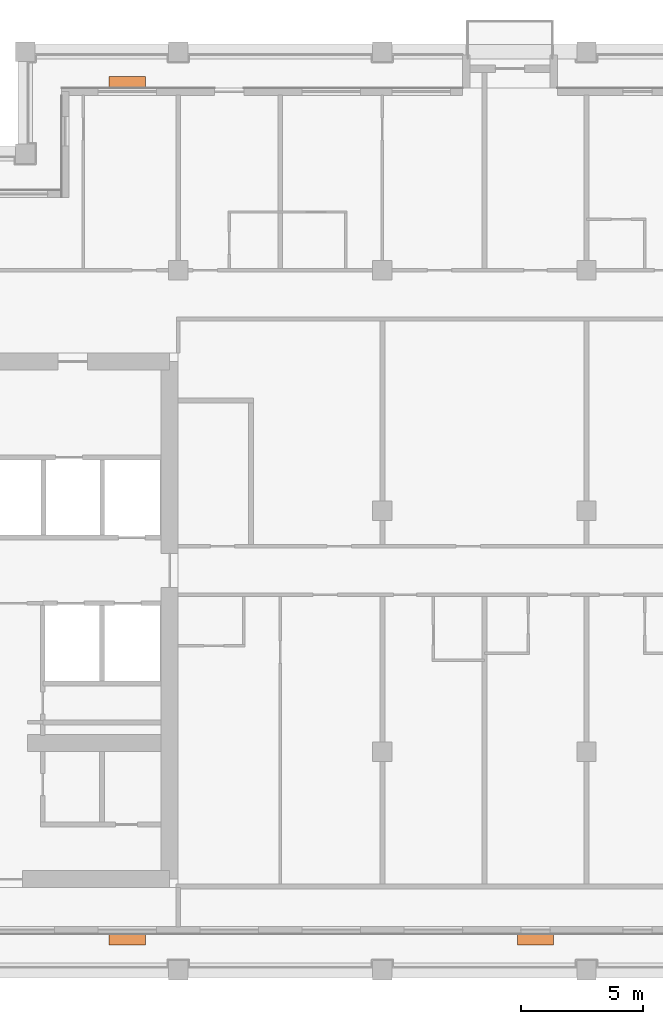
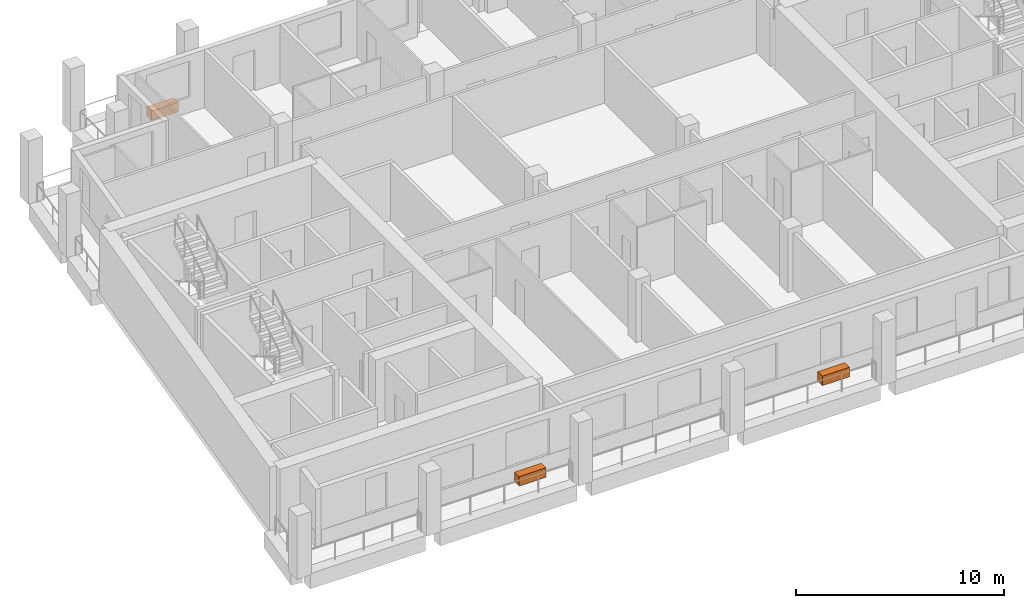
# One storey, part 13 of 13: 3 proxies.
"""IFC4 building model written with IfcOpenShell, lengths in metres."""

from ifc_helpers import new_model, si_unit, direction, frame, origin, origin_2d, place, context, subcontext, project, spatial, rectangle, extrude, element, save


model = new_model("IFC4")

# Units and contexts
model_context = context("Model", 3, precision=1e-05, world=origin(), true_north=direction((0.0, 1.0)))
body_context = subcontext(model_context, "Body", "Model", "MODEL_VIEW")
ifc_project = project(units=[si_unit("LENGTHUNIT", "METRE"), si_unit("AREAUNIT", "SQUARE_METRE"), si_unit("VOLUMEUNIT", "CUBIC_METRE"), si_unit("PLANEANGLEUNIT", "RADIAN"), si_unit("MASSUNIT", "GRAM", prefix="KILO")], contexts=[model_context])

# Site, building, storey
site_placement = place(None, origin())
site = spatial("IfcSite", under=ifc_project, at=site_placement, CompositionType="ELEMENT")
building_placement = place(site_placement, origin())
building = spatial("IfcBuilding", under=site, at=building_placement, Name="Candeia Pilgrim Tower and Theatre", CompositionType="ELEMENT")
storey_placement = place(building_placement, frame((0.0, 0.0, 270.10009765625)))
storey = spatial("IfcBuildingStorey", under=building, at=storey_placement, Name="L65", CompositionType="ELEMENT", Elevation=270.10009765625)

# Proxies
for number, where, z_axis, x_axis, name in (
    (1, (98.699951171875, 108.2548828125, 0.0), (0.0, 0.0, 1.0), (1.0, 0.0, 0.0), "Planter"),
    (2, (115.5, 108.2548828125, 0.0), (0.0, 0.0, 1.0), (1.0, 0.0, 0.0), "Planter"),
    (3, (98.699951171875, 143.544921875, 0.0), (0.0, 0.0, 1.0), (-1.0, 0.0, 0.0), "Planter"),
):
    element("IfcBuildingElementProxy", number, at=place(storey_placement, frame(where, z_axis=z_axis, x_axis=x_axis)), inside=storey, Name=name, ObjectType="PLANTER", PredefinedType="USERDEFINED", context=body_context, shape_type="SweptSolid", body=[
        extrude(rectangle(XDim=1.5, YDim=0.449951171875, at=origin_2d()), origin(), (0.0, 0.0, 1.0), 0.550048828125),
    ])

save(model, "model.ifc")
